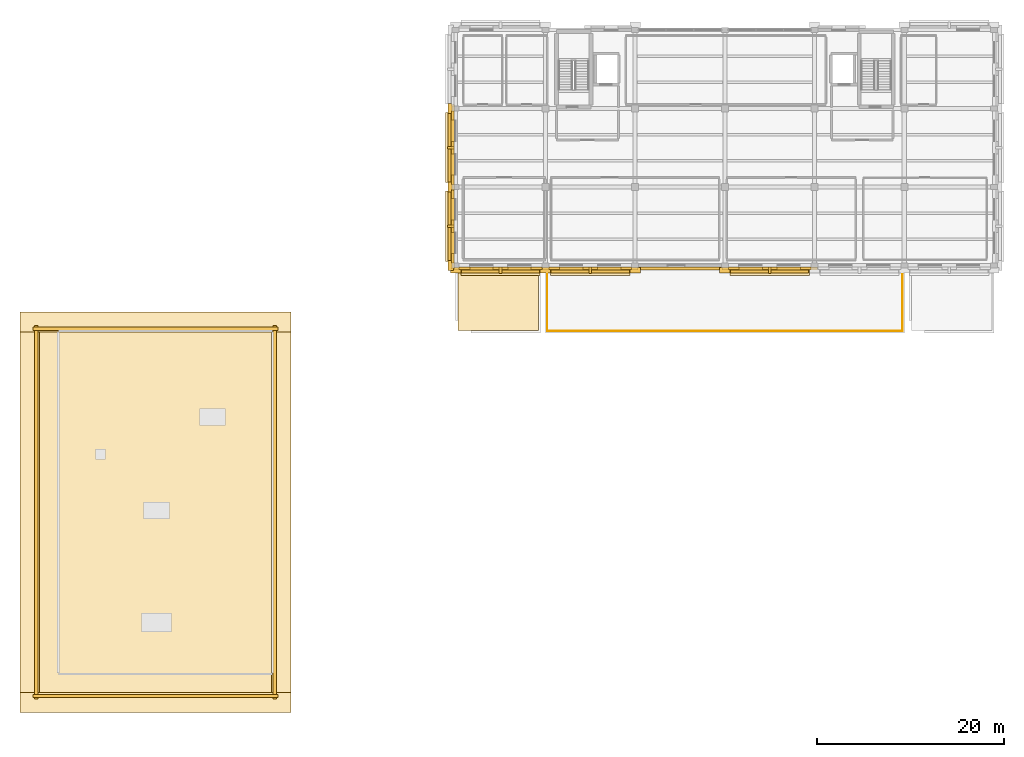
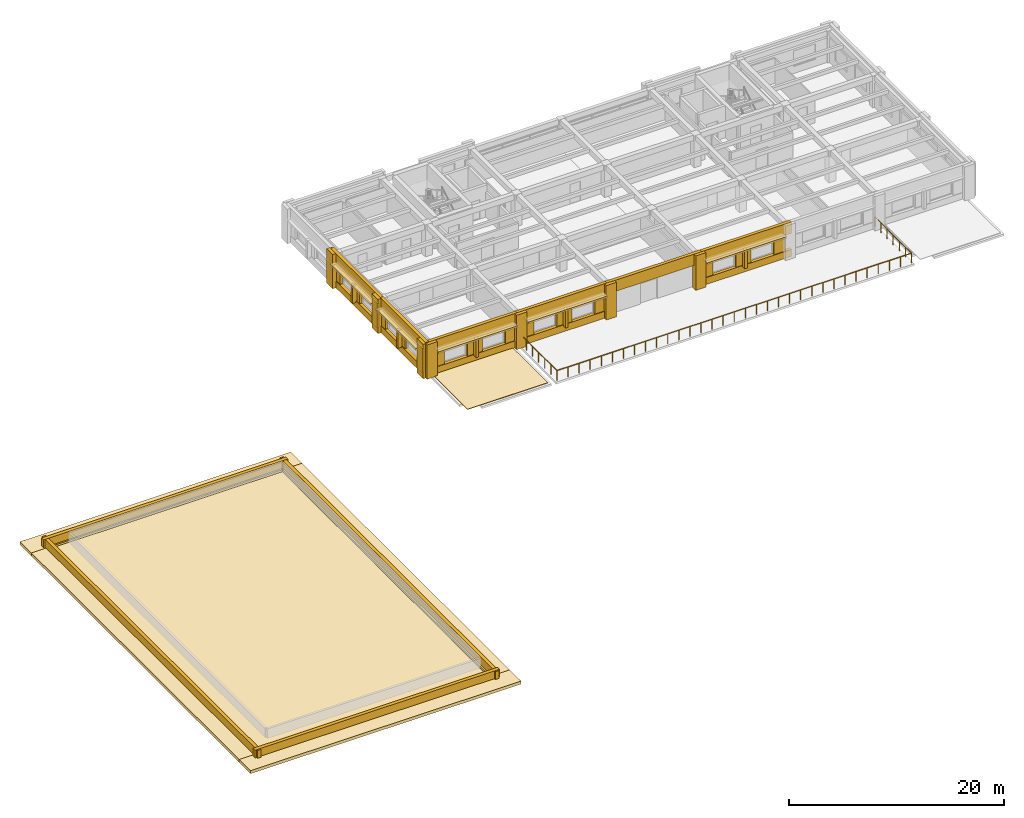
# One storey, part 7 of 10: 53 coverings, 5 shading devices, 1 railing.
"""IFC4 building model written with IfcOpenShell, lengths in metres."""

from ifc_helpers import new_model, si_unit, direction, frame, origin, origin_2d, place, context, subcontext, project, spatial, polyline, rectangle, circle, outline, extrude, material, layer, layer_set, type_object, element, save


model = new_model("IFC4")

# Units and contexts
model_context = context("Model", 3, precision=1e-05, world=origin(), true_north=direction((0.0, 1.0)))
body_context = subcontext(model_context, "Body", "Model", "MODEL_VIEW")
ifc_project = project(units=[si_unit("LENGTHUNIT", "METRE"), si_unit("AREAUNIT", "SQUARE_METRE"), si_unit("VOLUMEUNIT", "CUBIC_METRE"), si_unit("PLANEANGLEUNIT", "RADIAN"), si_unit("MASSUNIT", "GRAM", prefix="KILO")], contexts=[model_context])

# Site, building, storey
site_placement = place(None, origin())
site = spatial("IfcSite", under=ifc_project, at=site_placement, CompositionType="ELEMENT")
building_placement = place(site_placement, origin())
building = spatial("IfcBuilding", under=site, at=building_placement, Name="Bempovik Park Faculty of Sciences", CompositionType="ELEMENT")
storey_placement = place(building_placement, frame((0.0, 0.0, 26.699951171875)))
storey = spatial("IfcBuildingStorey", under=building, at=storey_placement, Name="L06", CompositionType="ELEMENT", Elevation=26.699951171875)

# Railing
ifc_material_1 = material(Name="Precast concrete C40/50", Category="concrete")
railing_type = type_object("IfcRailingType", Name="BL-01 Terrace Balustrade 1150mm", PredefinedType="BALUSTRADE", material=ifc_material_1)
railing_placement = place(storey_placement, frame((69.800048828125, 94.0, 0.0)))
element("IfcRailing", 1, at=railing_placement, inside=storey, type_object=railing_type, Name="Terrace Classical Balustrade BAL-L06-S", PredefinedType="BALUSTRADE", context=body_context, shape_type="SweptSolid", body=[
    extrude(circle(Radius=0.02392578125, at=origin_2d()), frame((0.0, 0.0, 1.1259765625), z_axis=(0.0, -1.0, 0.0), x_axis=(1.0, 0.0, 0.0)), (0.0, 0.0, 1.0), 6.800048828125),
    extrude(circle(Radius=0.02392578125, at=origin_2d()), frame((0.0, -6.800048828125, 1.1259765625), z_axis=(1.0, 0.0, 0.0), x_axis=(0.0, 1.0, 0.0)), (0.0, 0.0, 1.0), 38.0),
    extrude(circle(Radius=0.02392578125, at=origin_2d()), frame((38.0, -6.800048828125, 1.1259765625), z_axis=(0.0, 1.0, 0.0), x_axis=(-1.0, 0.0, 0.0)), (0.0, 0.0, 1.0), 6.800048828125),
    extrude(circle(Radius=0.02099609375, at=origin_2d()), origin(), (0.0, 0.0, 1.0), 1.101806640625),
    extrude(circle(Radius=0.02099609375, at=origin_2d()), frame((0.0, -1.13330078125, 0.0)), (0.0, 0.0, 1.0), 1.101806640625),
    extrude(circle(Radius=0.02099609375, at=origin_2d()), frame((0.0, -2.2666015625, 0.0)), (0.0, 0.0, 1.0), 1.101806640625),
    extrude(circle(Radius=0.02099609375, at=origin_2d()), frame((0.0, -3.39990234375, 0.0)), (0.0, 0.0, 1.0), 1.101806640625),
    extrude(circle(Radius=0.02099609375, at=origin_2d()), frame((0.0, -4.533447265625, 0.0)), (0.0, 0.0, 1.0), 1.101806640625),
    extrude(circle(Radius=0.02099609375, at=origin_2d()), frame((0.0, -5.666748046875, 0.0)), (0.0, 0.0, 1.0), 1.101806640625),
    extrude(circle(Radius=0.02099609375, at=origin_2d()), frame((0.0, -6.800048828125, 0.0)), (0.0, 0.0, 1.0), 1.101806640625),
    extrude(circle(Radius=0.02099609375, at=origin_2d()), frame((1.1875, -6.800048828125, 0.0)), (0.0, 0.0, 1.0), 1.101806640625),
    extrude(circle(Radius=0.02099609375, at=origin_2d()), frame((2.375, -6.800048828125, 0.0)), (0.0, 0.0, 1.0), 1.101806640625),
    extrude(circle(Radius=0.02099609375, at=origin_2d()), frame((3.5625, -6.800048828125, 0.0)), (0.0, 0.0, 1.0), 1.101806640625),
    extrude(circle(Radius=0.02099609375, at=origin_2d()), frame((4.75, -6.800048828125, 0.0)), (0.0, 0.0, 1.0), 1.101806640625),
    extrude(circle(Radius=0.02099609375, at=origin_2d()), frame((5.9375, -6.800048828125, 0.0)), (0.0, 0.0, 1.0), 1.101806640625),
    extrude(circle(Radius=0.02099609375, at=origin_2d()), frame((7.125, -6.800048828125, 0.0)), (0.0, 0.0, 1.0), 1.101806640625),
    extrude(circle(Radius=0.02099609375, at=origin_2d()), frame((8.3125, -6.800048828125, 0.0)), (0.0, 0.0, 1.0), 1.101806640625),
    extrude(circle(Radius=0.02099609375, at=origin_2d()), frame((9.5, -6.800048828125, 0.0)), (0.0, 0.0, 1.0), 1.101806640625),
    extrude(circle(Radius=0.02099609375, at=origin_2d()), frame((10.6875, -6.800048828125, 0.0)), (0.0, 0.0, 1.0), 1.101806640625),
    extrude(circle(Radius=0.02099609375, at=origin_2d()), frame((11.875, -6.800048828125, 0.0)), (0.0, 0.0, 1.0), 1.101806640625),
    extrude(circle(Radius=0.02099609375, at=origin_2d()), frame((13.0625, -6.800048828125, 0.0)), (0.0, 0.0, 1.0), 1.101806640625),
    extrude(circle(Radius=0.02099609375, at=origin_2d()), frame((14.25, -6.800048828125, 0.0)), (0.0, 0.0, 1.0), 1.101806640625),
    extrude(circle(Radius=0.02099609375, at=origin_2d()), frame((15.4375, -6.800048828125, 0.0)), (0.0, 0.0, 1.0), 1.101806640625),
    extrude(circle(Radius=0.02099609375, at=origin_2d()), frame((16.625, -6.800048828125, 0.0)), (0.0, 0.0, 1.0), 1.101806640625),
    extrude(circle(Radius=0.02099609375, at=origin_2d()), frame((17.8125, -6.800048828125, 0.0)), (0.0, 0.0, 1.0), 1.101806640625),
    extrude(circle(Radius=0.02099609375, at=origin_2d()), frame((19.0, -6.800048828125, 0.0)), (0.0, 0.0, 1.0), 1.101806640625),
    extrude(circle(Radius=0.02099609375, at=origin_2d()), frame((20.1875, -6.800048828125, 0.0)), (0.0, 0.0, 1.0), 1.101806640625),
    extrude(circle(Radius=0.02099609375, at=origin_2d()), frame((21.375, -6.800048828125, 0.0)), (0.0, 0.0, 1.0), 1.101806640625),
    extrude(circle(Radius=0.02099609375, at=origin_2d()), frame((22.5625, -6.800048828125, 0.0)), (0.0, 0.0, 1.0), 1.101806640625),
    extrude(circle(Radius=0.02099609375, at=origin_2d()), frame((23.75, -6.800048828125, 0.0)), (0.0, 0.0, 1.0), 1.101806640625),
    extrude(circle(Radius=0.02099609375, at=origin_2d()), frame((24.9375, -6.800048828125, 0.0)), (0.0, 0.0, 1.0), 1.101806640625),
    extrude(circle(Radius=0.02099609375, at=origin_2d()), frame((26.125, -6.800048828125, 0.0)), (0.0, 0.0, 1.0), 1.101806640625),
    extrude(circle(Radius=0.02099609375, at=origin_2d()), frame((27.3125, -6.800048828125, 0.0)), (0.0, 0.0, 1.0), 1.101806640625),
    extrude(circle(Radius=0.02099609375, at=origin_2d()), frame((28.5, -6.800048828125, 0.0)), (0.0, 0.0, 1.0), 1.101806640625),
    extrude(circle(Radius=0.02099609375, at=origin_2d()), frame((29.6875, -6.800048828125, 0.0)), (0.0, 0.0, 1.0), 1.101806640625),
    extrude(circle(Radius=0.02099609375, at=origin_2d()), frame((30.875, -6.800048828125, 0.0)), (0.0, 0.0, 1.0), 1.101806640625),
    extrude(circle(Radius=0.02099609375, at=origin_2d()), frame((32.0625, -6.800048828125, 0.0)), (0.0, 0.0, 1.0), 1.101806640625),
    extrude(circle(Radius=0.02099609375, at=origin_2d()), frame((33.25, -6.800048828125, 0.0)), (0.0, 0.0, 1.0), 1.101806640625),
    extrude(circle(Radius=0.02099609375, at=origin_2d()), frame((34.4375, -6.800048828125, 0.0)), (0.0, 0.0, 1.0), 1.101806640625),
    extrude(circle(Radius=0.02099609375, at=origin_2d()), frame((35.625, -6.800048828125, 0.0)), (0.0, 0.0, 1.0), 1.101806640625),
    extrude(circle(Radius=0.02099609375, at=origin_2d()), frame((36.8125, -6.800048828125, 0.0)), (0.0, 0.0, 1.0), 1.101806640625),
    extrude(circle(Radius=0.02099609375, at=origin_2d()), frame((38.0, -6.800048828125, 0.0)), (0.0, 0.0, 1.0), 1.101806640625),
    extrude(circle(Radius=0.02099609375, at=origin_2d()), frame((38.0, -5.666748046875, 0.0)), (0.0, 0.0, 1.0), 1.101806640625),
    extrude(circle(Radius=0.02099609375, at=origin_2d()), frame((38.0, -4.533447265625, 0.0)), (0.0, 0.0, 1.0), 1.101806640625),
    extrude(circle(Radius=0.02099609375, at=origin_2d()), frame((38.0, -3.39990234375, 0.0)), (0.0, 0.0, 1.0), 1.101806640625),
    extrude(circle(Radius=0.02099609375, at=origin_2d()), frame((38.0, -2.2666015625, 0.0)), (0.0, 0.0, 1.0), 1.101806640625),
    extrude(circle(Radius=0.02099609375, at=origin_2d()), frame((38.0, -1.13330078125, 0.0)), (0.0, 0.0, 1.0), 1.101806640625),
    extrude(circle(Radius=0.02099609375, at=origin_2d()), frame((38.0, 0.0, 0.0)), (0.0, 0.0, 1.0), 1.101806640625),
])

# Coverings
ifc_layer_1 = layer(ifc_material_1, 0.179931640625)
ifc_layer_set_1 = layer_set([ifc_layer_1], Name="Precast concrete C40/50")
covering_type_1 = type_object("IfcCoveringType", Name="CL-02 Classical Cornice Band 180mm", PredefinedType="CLADDING", material=ifc_layer_set_1)
for number, where, z_axis, x_axis, name in (
    (2, (59.39990234375, 98.39990234375, 2.66015625), (0.0, 0.0, 1.0), (1.0, 0.0, 0.0), "L06 Classical Stone Solar Window Hood EW-L06-10454"),
    (3, (59.39990234375, 106.800048828125, 2.66015625), (0.0, 0.0, 1.0), (1.0, 0.0, 0.0), "L06 Classical Stone Solar Window Hood EW-L06-10467"),
):
    element("IfcCovering", number, at=place(storey_placement, frame(where, z_axis=z_axis, x_axis=x_axis)), inside=storey, type_object=covering_type_1, Name=name, PredefinedType="CLADDING", context=body_context, shape_type="SweptSolid", body=[
        extrude(rectangle(XDim=0.919921875, YDim=7.49609375, at=origin_2d()), origin(), (0.0, 0.0, 1.0), 0.219970703125),
    ])
for number, where, z_axis, x_axis, name in (
    (4, (64.800048828125, 93.60009765625, 2.66015625), (0.0, 0.0, 1.0), (1.0, 0.0, 0.0), "L06 Classical Stone Solar Window Hood EW-L06-10491"),
    (5, (74.39990234375, 93.60009765625, 2.66015625), (0.0, 0.0, 1.0), (1.0, 0.0, 0.0), "L06 Classical Stone Solar Window Hood EW-L06-10504"),
    (6, (93.60009765625, 93.60009765625, 2.66015625), (0.0, 0.0, 1.0), (1.0, 0.0, 0.0), "L06 Classical Stone Solar Window Hood EW-L06-10519"),
):
    element("IfcCovering", number, at=place(storey_placement, frame(where, z_axis=z_axis, x_axis=x_axis)), inside=storey, type_object=covering_type_1, Name=name, PredefinedType="CLADDING", context=body_context, shape_type="SweptSolid", body=[
        extrude(rectangle(XDim=8.49609375, YDim=0.919921875, at=origin_2d()), origin(), (0.0, 0.0, 1.0), 0.219970703125),
    ])
for number, where, z_axis, x_axis, name in (
    (7, (27.89990234375, 47.449951171875, -0.06982421875), (0.0, 0.0, 1.0), (1.0, 0.0, 0.0), "Classical Deep Overhanging Stone Eave V4MN-S"),
    (8, (27.89990234375, 88.14990234375, -0.06982421875), (0.0, 0.0, 1.0), (1.0, 0.0, 0.0), "Classical Deep Overhanging Stone Eave V4MN-N"),
):
    element("IfcCovering", number, at=place(storey_placement, frame(where, z_axis=z_axis, x_axis=x_axis)), inside=storey, type_object=covering_type_1, Name=name, PredefinedType="CLADDING", context=body_context, shape_type="SweptSolid", body=[
        extrude(rectangle(XDim=29.0, YDim=2.10009765625, at=origin_2d()), origin(), (0.0, 0.0, 1.0), 0.340087890625),
    ])
for number, where, z_axis, x_axis, name in (
    (9, (14.449951171875, 67.800048828125, -0.06982421875), (0.0, 0.0, 1.0), (1.0, 0.0, 0.0), "Classical Deep Overhanging Stone Eave V4MN-W"),
    (10, (41.35009765625, 67.800048828125, -0.06982421875), (0.0, 0.0, 1.0), (1.0, 0.0, 0.0), "Classical Deep Overhanging Stone Eave V4MN-E"),
):
    element("IfcCovering", number, at=place(storey_placement, frame(where, z_axis=z_axis, x_axis=x_axis)), inside=storey, type_object=covering_type_1, Name=name, PredefinedType="CLADDING", context=body_context, shape_type="SweptSolid", body=[
        extrude(rectangle(XDim=2.10009765625, YDim=42.800048828125, at=origin_2d()), origin(), (0.0, 0.0, 1.0), 0.340087890625),
    ])
ifc_material_2 = material(Name="White reconstituted limestone precast C40/50", Category="masonry")
ifc_layer_2 = layer(ifc_material_2, 0.239990234375)
ifc_layer_set_2 = layer_set([ifc_layer_2], Name="White reconstituted limestone precast C40/50")
covering_type_2 = type_object("IfcCoveringType", Name="CL-03 Classical Fluted Limestone Pilaster 240mm", PredefinedType="CLADDING", material=ifc_layer_set_2)
covering_1_placement = place(storey_placement, frame((59.68994140625, 98.39990234375, 2.6201171875), z_axis=(0.0, 0.0, 1.0), x_axis=(1.0, 0.0, 0.0)))
element("IfcCovering", 11, at=covering_1_placement, inside=storey, type_object=covering_type_2, Name="L06 Classical Limestone Spandrel Entablature EW-L06-10454", PredefinedType="CLADDING", context=body_context, shape_type="SweptSolid", body=[
    extrude(rectangle(XDim=0.340087890625, YDim=9.196044921875, at=origin_2d()), origin(), (0.0, 0.0, 1.0), 1.280029296875),
])
covering_2_placement = place(storey_placement, frame((59.68994140625, 98.39990234375, 0.0), z_axis=(0.0, 0.0, 1.0), x_axis=(1.0, 0.0, 0.0)))
element("IfcCovering", 12, at=covering_2_placement, inside=storey, type_object=covering_type_2, Name="L06 Classical Limestone Sill Dado EW-L06-10454", PredefinedType="CLADDING", context=body_context, shape_type="SweptSolid", body=[
    extrude(rectangle(XDim=0.340087890625, YDim=9.196044921875, at=origin_2d()), origin(), (0.0, 0.0, 1.0), 0.780029296875),
])
for number, where, z_axis, x_axis, name in (
    (13, (59.469970703125, 94.199951171875, 0.0), (0.0, 0.0, 1.0), (1.0, 0.0, 0.0), "L06 Classical Fluted Stone Pilaster PIL-BA-L06-595-942"),
    (14, (59.469970703125, 102.60009765625, 0.0), (0.0, 0.0, 1.0), (1.0, 0.0, 0.0), "L06 Classical Fluted Stone Pilaster PIL-BA-L06-595-1026"),
):
    element("IfcCovering", number, at=place(storey_placement, frame(where, z_axis=z_axis, x_axis=x_axis)), inside=storey, type_object=covering_type_2, Name=name, PredefinedType="CLADDING", context=body_context, shape_type="SweptSolid", body=[
        extrude(rectangle(XDim=0.580078125, YDim=1.10009765625, at=origin_2d()), origin(), (0.0, 0.0, 1.0), 3.89990234375),
    ])
covering_3_placement = place(storey_placement, frame((59.699951171875, 94.96630859375, 0.0), z_axis=(0.0, 0.0, 1.0), x_axis=(1.0, 0.0, 0.0)))
element("IfcCovering", 15, at=covering_3_placement, inside=storey, type_object=covering_type_2, Name="L06 White Limestone Wall Cheek EW-L06-10454-0", PredefinedType="CLADDING", context=body_context, shape_type="SweptSolid", body=[
    extrude(rectangle(XDim=0.239990234375, YDim=0.978515625, at=origin_2d()), origin(), (0.0, 0.0, 1.0), 2.780029296875),
])
covering_4_placement = place(storey_placement, frame((59.699951171875, 98.39990234375, 0.0), z_axis=(0.0, 0.0, 1.0), x_axis=(1.0, 0.0, 0.0)))
element("IfcCovering", 16, at=covering_4_placement, inside=storey, type_object=covering_type_2, Name="L06 White Limestone Wall Cheek EW-L06-10454-2", PredefinedType="CLADDING", context=body_context, shape_type="SweptSolid", body=[
    extrude(rectangle(XDim=0.239990234375, YDim=1.3291015625, at=origin_2d()), origin(), (0.0, 0.0, 1.0), 2.780029296875),
])
covering_5_placement = place(storey_placement, frame((59.699951171875, 101.833740234375, 0.0), z_axis=(0.0, 0.0, 1.0), x_axis=(1.0, 0.0, 0.0)))
element("IfcCovering", 17, at=covering_5_placement, inside=storey, type_object=covering_type_2, Name="L06 White Limestone Wall Cheek EW-L06-10454-4", PredefinedType="CLADDING", context=body_context, shape_type="SweptSolid", body=[
    extrude(rectangle(XDim=0.239990234375, YDim=0.978515625, at=origin_2d()), origin(), (0.0, 0.0, 1.0), 2.780029296875),
])
covering_6_placement = place(storey_placement, frame((59.489990234375, 98.39990234375, 0.64990234375), z_axis=(0.0, 0.0, 1.0), x_axis=(1.0, 0.0, 0.0)))
element("IfcCovering", 18, at=covering_6_placement, inside=storey, type_object=covering_type_2, Name="L06 Classical Vertical Stone Shading Fin EW-L06-10454", PredefinedType="CLADDING", context=body_context, shape_type="SweptSolid", body=[
    extrude(rectangle(XDim=0.719970703125, YDim=0.280029296875, at=origin_2d()), origin(), (0.0, 0.0, 1.0), 2.050048828125),
])
covering_7_placement = place(storey_placement, frame((59.68994140625, 106.800048828125, 2.6201171875), z_axis=(0.0, 0.0, 1.0), x_axis=(1.0, 0.0, 0.0)))
element("IfcCovering", 19, at=covering_7_placement, inside=storey, type_object=covering_type_2, Name="L06 Classical Limestone Spandrel Entablature EW-L06-10467", PredefinedType="CLADDING", context=body_context, shape_type="SweptSolid", body=[
    extrude(rectangle(XDim=0.340087890625, YDim=9.196044921875, at=origin_2d()), origin(), (0.0, 0.0, 1.0), 1.280029296875),
])
covering_8_placement = place(storey_placement, frame((59.68994140625, 106.800048828125, 0.0), z_axis=(0.0, 0.0, 1.0), x_axis=(1.0, 0.0, 0.0)))
element("IfcCovering", 20, at=covering_8_placement, inside=storey, type_object=covering_type_2, Name="L06 Classical Limestone Sill Dado EW-L06-10467", PredefinedType="CLADDING", context=body_context, shape_type="SweptSolid", body=[
    extrude(rectangle(XDim=0.340087890625, YDim=9.196044921875, at=origin_2d()), origin(), (0.0, 0.0, 1.0), 0.780029296875),
])
covering_9_placement = place(storey_placement, frame((59.469970703125, 111.0, 0.0), z_axis=(0.0, 0.0, 1.0), x_axis=(1.0, 0.0, 0.0)))
element("IfcCovering", 21, at=covering_9_placement, inside=storey, type_object=covering_type_2, Name="L06 Classical Fluted Stone Pilaster PIL-BA-L06-595-1110", PredefinedType="CLADDING", context=body_context, shape_type="SweptSolid", body=[
    extrude(rectangle(XDim=0.580078125, YDim=1.10009765625, at=origin_2d()), origin(), (0.0, 0.0, 1.0), 3.89990234375),
])
covering_10_placement = place(storey_placement, frame((59.699951171875, 103.3662109375, 0.0), z_axis=(0.0, 0.0, 1.0), x_axis=(1.0, 0.0, 0.0)))
element("IfcCovering", 22, at=covering_10_placement, inside=storey, type_object=covering_type_2, Name="L06 White Limestone Wall Cheek EW-L06-10467-0", PredefinedType="CLADDING", context=body_context, shape_type="SweptSolid", body=[
    extrude(rectangle(XDim=0.239990234375, YDim=0.978515625, at=origin_2d()), origin(), (0.0, 0.0, 1.0), 2.780029296875),
])
covering_11_placement = place(storey_placement, frame((59.699951171875, 106.800048828125, 0.0), z_axis=(0.0, 0.0, 1.0), x_axis=(1.0, 0.0, 0.0)))
element("IfcCovering", 23, at=covering_11_placement, inside=storey, type_object=covering_type_2, Name="L06 White Limestone Wall Cheek EW-L06-10467-2", PredefinedType="CLADDING", context=body_context, shape_type="SweptSolid", body=[
    extrude(rectangle(XDim=0.239990234375, YDim=1.3291015625, at=origin_2d()), origin(), (0.0, 0.0, 1.0), 2.780029296875),
])
covering_12_placement = place(storey_placement, frame((59.699951171875, 110.23388671875, 0.0), z_axis=(0.0, 0.0, 1.0), x_axis=(1.0, 0.0, 0.0)))
element("IfcCovering", 24, at=covering_12_placement, inside=storey, type_object=covering_type_2, Name="L06 White Limestone Wall Cheek EW-L06-10467-4", PredefinedType="CLADDING", context=body_context, shape_type="SweptSolid", body=[
    extrude(rectangle(XDim=0.239990234375, YDim=0.978515625, at=origin_2d()), origin(), (0.0, 0.0, 1.0), 2.780029296875),
])
covering_13_placement = place(storey_placement, frame((59.489990234375, 106.800048828125, 0.64990234375), z_axis=(0.0, 0.0, 1.0), x_axis=(1.0, 0.0, 0.0)))
element("IfcCovering", 25, at=covering_13_placement, inside=storey, type_object=covering_type_2, Name="L06 Classical Vertical Stone Shading Fin EW-L06-10467", PredefinedType="CLADDING", context=body_context, shape_type="SweptSolid", body=[
    extrude(rectangle(XDim=0.719970703125, YDim=0.280029296875, at=origin_2d()), origin(), (0.0, 0.0, 1.0), 2.050048828125),
])
covering_14_placement = place(storey_placement, frame((64.800048828125, 93.889892578125, 2.6201171875), z_axis=(0.0, 0.0, 1.0), x_axis=(1.0, 0.0, 0.0)))
element("IfcCovering", 26, at=covering_14_placement, inside=storey, type_object=covering_type_2, Name="L06 Classical Limestone Spandrel Entablature EW-L06-10491", PredefinedType="CLADDING", context=body_context, shape_type="SweptSolid", body=[
    extrude(rectangle(XDim=10.196044921875, YDim=0.340087890625, at=origin_2d()), origin(), (0.0, 0.0, 1.0), 1.280029296875),
])
covering_15_placement = place(storey_placement, frame((64.800048828125, 93.889892578125, 0.0), z_axis=(0.0, 0.0, 1.0), x_axis=(1.0, 0.0, 0.0)))
element("IfcCovering", 27, at=covering_15_placement, inside=storey, type_object=covering_type_2, Name="L06 Classical Limestone Sill Dado EW-L06-10491", PredefinedType="CLADDING", context=body_context, shape_type="SweptSolid", body=[
    extrude(rectangle(XDim=10.196044921875, YDim=0.340087890625, at=origin_2d()), origin(), (0.0, 0.0, 1.0), 0.780029296875),
])
for number, where, z_axis, x_axis, name in (
    (28, (60.0, 93.669921875, 0.0), (0.0, 0.0, 1.0), (1.0, 0.0, 0.0), "L06 Classical Fluted Stone Pilaster PIL-BA-L06-600-937"),
    (29, (69.60009765625, 93.669921875, 0.0), (0.0, 0.0, 1.0), (1.0, 0.0, 0.0), "L06 Classical Fluted Stone Pilaster PIL-BA-L06-696-937"),
):
    element("IfcCovering", number, at=place(storey_placement, frame(where, z_axis=z_axis, x_axis=x_axis)), inside=storey, type_object=covering_type_2, Name=name, PredefinedType="CLADDING", context=body_context, shape_type="SweptSolid", body=[
        extrude(rectangle(XDim=1.10009765625, YDim=0.580078125, at=origin_2d()), origin(), (0.0, 0.0, 1.0), 3.89990234375),
    ])
covering_16_placement = place(storey_placement, frame((60.951171875, 93.89990234375, 0.0), z_axis=(0.0, 0.0, 1.0), x_axis=(1.0, 0.0, 0.0)))
element("IfcCovering", 30, at=covering_16_placement, inside=storey, type_object=covering_type_2, Name="L06 White Limestone Wall Cheek EW-L06-10491-0", PredefinedType="CLADDING", context=body_context, shape_type="SweptSolid", body=[
    extrude(rectangle(XDim=1.1484375, YDim=0.239990234375, at=origin_2d()), origin(), (0.0, 0.0, 1.0), 2.780029296875),
])
covering_17_placement = place(storey_placement, frame((64.800048828125, 93.89990234375, 0.0), z_axis=(0.0, 0.0, 1.0), x_axis=(1.0, 0.0, 0.0)))
element("IfcCovering", 31, at=covering_17_placement, inside=storey, type_object=covering_type_2, Name="L06 White Limestone Wall Cheek EW-L06-10491-2", PredefinedType="CLADDING", context=body_context, shape_type="SweptSolid", body=[
    extrude(rectangle(XDim=1.589111328125, YDim=0.239990234375, at=origin_2d()), origin(), (0.0, 0.0, 1.0), 2.780029296875),
])
covering_18_placement = place(storey_placement, frame((68.648681640625, 93.89990234375, 0.0), z_axis=(0.0, 0.0, 1.0), x_axis=(1.0, 0.0, 0.0)))
element("IfcCovering", 32, at=covering_18_placement, inside=storey, type_object=covering_type_2, Name="L06 White Limestone Wall Cheek EW-L06-10491-4", PredefinedType="CLADDING", context=body_context, shape_type="SweptSolid", body=[
    extrude(rectangle(XDim=1.1484375, YDim=0.239990234375, at=origin_2d()), origin(), (0.0, 0.0, 1.0), 2.780029296875),
])
covering_19_placement = place(storey_placement, frame((64.800048828125, 93.68994140625, 0.64990234375), z_axis=(0.0, 0.0, 1.0), x_axis=(1.0, 0.0, 0.0)))
element("IfcCovering", 33, at=covering_19_placement, inside=storey, type_object=covering_type_2, Name="L06 Classical Vertical Stone Shading Fin EW-L06-10491", PredefinedType="CLADDING", context=body_context, shape_type="SweptSolid", body=[
    extrude(rectangle(XDim=0.280029296875, YDim=0.719970703125, at=origin_2d()), origin(), (0.0, 0.0, 1.0), 2.050048828125),
])
covering_20_placement = place(storey_placement, frame((74.39990234375, 93.889892578125, 2.6201171875), z_axis=(0.0, 0.0, 1.0), x_axis=(1.0, 0.0, 0.0)))
element("IfcCovering", 34, at=covering_20_placement, inside=storey, type_object=covering_type_2, Name="L06 Classical Limestone Spandrel Entablature EW-L06-10504", PredefinedType="CLADDING", context=body_context, shape_type="SweptSolid", body=[
    extrude(rectangle(XDim=10.196044921875, YDim=0.340087890625, at=origin_2d()), origin(), (0.0, 0.0, 1.0), 1.280029296875),
])
covering_21_placement = place(storey_placement, frame((74.39990234375, 93.889892578125, 0.0), z_axis=(0.0, 0.0, 1.0), x_axis=(1.0, 0.0, 0.0)))
element("IfcCovering", 35, at=covering_21_placement, inside=storey, type_object=covering_type_2, Name="L06 Classical Limestone Sill Dado EW-L06-10504", PredefinedType="CLADDING", context=body_context, shape_type="SweptSolid", body=[
    extrude(rectangle(XDim=10.196044921875, YDim=0.340087890625, at=origin_2d()), origin(), (0.0, 0.0, 1.0), 0.780029296875),
])
covering_22_placement = place(storey_placement, frame((79.199951171875, 93.669921875, 0.0), z_axis=(0.0, 0.0, 1.0), x_axis=(1.0, 0.0, 0.0)))
element("IfcCovering", 36, at=covering_22_placement, inside=storey, type_object=covering_type_2, Name="L06 Classical Fluted Stone Pilaster PIL-BA-L06-792-937", PredefinedType="CLADDING", context=body_context, shape_type="SweptSolid", body=[
    extrude(rectangle(XDim=1.10009765625, YDim=0.580078125, at=origin_2d()), origin(), (0.0, 0.0, 1.0), 3.89990234375),
])
covering_23_placement = place(storey_placement, frame((70.55126953125, 93.89990234375, 0.0), z_axis=(0.0, 0.0, 1.0), x_axis=(1.0, 0.0, 0.0)))
element("IfcCovering", 37, at=covering_23_placement, inside=storey, type_object=covering_type_2, Name="L06 White Limestone Wall Cheek EW-L06-10504-0", PredefinedType="CLADDING", context=body_context, shape_type="SweptSolid", body=[
    extrude(rectangle(XDim=1.1484375, YDim=0.239990234375, at=origin_2d()), origin(), (0.0, 0.0, 1.0), 2.780029296875),
])
covering_24_placement = place(storey_placement, frame((74.39990234375, 93.89990234375, 0.0), z_axis=(0.0, 0.0, 1.0), x_axis=(1.0, 0.0, 0.0)))
element("IfcCovering", 38, at=covering_24_placement, inside=storey, type_object=covering_type_2, Name="L06 White Limestone Wall Cheek EW-L06-10504-2", PredefinedType="CLADDING", context=body_context, shape_type="SweptSolid", body=[
    extrude(rectangle(XDim=1.589111328125, YDim=0.239990234375, at=origin_2d()), origin(), (0.0, 0.0, 1.0), 2.780029296875),
])
covering_25_placement = place(storey_placement, frame((78.248779296875, 93.89990234375, 0.0), z_axis=(0.0, 0.0, 1.0), x_axis=(1.0, 0.0, 0.0)))
element("IfcCovering", 39, at=covering_25_placement, inside=storey, type_object=covering_type_2, Name="L06 White Limestone Wall Cheek EW-L06-10504-4", PredefinedType="CLADDING", context=body_context, shape_type="SweptSolid", body=[
    extrude(rectangle(XDim=1.1484375, YDim=0.239990234375, at=origin_2d()), origin(), (0.0, 0.0, 1.0), 2.780029296875),
])
covering_26_placement = place(storey_placement, frame((74.39990234375, 93.68994140625, 0.64990234375), z_axis=(0.0, 0.0, 1.0), x_axis=(1.0, 0.0, 0.0)))
element("IfcCovering", 40, at=covering_26_placement, inside=storey, type_object=covering_type_2, Name="L06 Classical Vertical Stone Shading Fin EW-L06-10504", PredefinedType="CLADDING", context=body_context, shape_type="SweptSolid", body=[
    extrude(rectangle(XDim=0.280029296875, YDim=0.719970703125, at=origin_2d()), origin(), (0.0, 0.0, 1.0), 2.050048828125),
])
covering_27_placement = place(storey_placement, frame((84.0, 93.889892578125, 2.6201171875), z_axis=(0.0, 0.0, 1.0), x_axis=(1.0, 0.0, 0.0)))
element("IfcCovering", 41, at=covering_27_placement, inside=storey, type_object=covering_type_2, Name="L06 Classical Limestone Spandrel Entablature EW-L06-10516", PredefinedType="CLADDING", context=body_context, shape_type="SweptSolid", body=[
    extrude(rectangle(XDim=10.196044921875, YDim=0.340087890625, at=origin_2d()), origin(), (0.0, 0.0, 1.0), 1.280029296875),
])
covering_28_placement = place(storey_placement, frame((88.800048828125, 93.669921875, 0.0), z_axis=(0.0, 0.0, 1.0), x_axis=(1.0, 0.0, 0.0)))
element("IfcCovering", 42, at=covering_28_placement, inside=storey, type_object=covering_type_2, Name="L06 Classical Fluted Stone Pilaster PIL-BA-L06-888-937", PredefinedType="CLADDING", context=body_context, shape_type="SweptSolid", body=[
    extrude(rectangle(XDim=1.10009765625, YDim=0.580078125, at=origin_2d()), origin(), (0.0, 0.0, 1.0), 3.89990234375),
])
covering_29_placement = place(storey_placement, frame((93.60009765625, 93.889892578125, 2.6201171875), z_axis=(0.0, 0.0, 1.0), x_axis=(1.0, 0.0, 0.0)))
element("IfcCovering", 43, at=covering_29_placement, inside=storey, type_object=covering_type_2, Name="L06 Classical Limestone Spandrel Entablature EW-L06-10519", PredefinedType="CLADDING", context=body_context, shape_type="SweptSolid", body=[
    extrude(rectangle(XDim=10.196044921875, YDim=0.340087890625, at=origin_2d()), origin(), (0.0, 0.0, 1.0), 1.280029296875),
])
covering_30_placement = place(storey_placement, frame((93.60009765625, 93.889892578125, 0.0), z_axis=(0.0, 0.0, 1.0), x_axis=(1.0, 0.0, 0.0)))
element("IfcCovering", 44, at=covering_30_placement, inside=storey, type_object=covering_type_2, Name="L06 Classical Limestone Sill Dado EW-L06-10519", PredefinedType="CLADDING", context=body_context, shape_type="SweptSolid", body=[
    extrude(rectangle(XDim=10.196044921875, YDim=0.340087890625, at=origin_2d()), origin(), (0.0, 0.0, 1.0), 0.780029296875),
])
covering_31_placement = place(storey_placement, frame((89.751220703125, 93.89990234375, 0.0), z_axis=(0.0, 0.0, 1.0), x_axis=(1.0, 0.0, 0.0)))
element("IfcCovering", 45, at=covering_31_placement, inside=storey, type_object=covering_type_2, Name="L06 White Limestone Wall Cheek EW-L06-10519-0", PredefinedType="CLADDING", context=body_context, shape_type="SweptSolid", body=[
    extrude(rectangle(XDim=1.1484375, YDim=0.239990234375, at=origin_2d()), origin(), (0.0, 0.0, 1.0), 2.780029296875),
])
covering_32_placement = place(storey_placement, frame((93.60009765625, 93.89990234375, 0.0), z_axis=(0.0, 0.0, 1.0), x_axis=(1.0, 0.0, 0.0)))
element("IfcCovering", 46, at=covering_32_placement, inside=storey, type_object=covering_type_2, Name="L06 White Limestone Wall Cheek EW-L06-10519-2", PredefinedType="CLADDING", context=body_context, shape_type="SweptSolid", body=[
    extrude(rectangle(XDim=1.589111328125, YDim=0.239990234375, at=origin_2d()), origin(), (0.0, 0.0, 1.0), 2.780029296875),
])
covering_33_placement = place(storey_placement, frame((97.44873046875, 93.89990234375, 0.0), z_axis=(0.0, 0.0, 1.0), x_axis=(1.0, 0.0, 0.0)))
element("IfcCovering", 47, at=covering_33_placement, inside=storey, type_object=covering_type_2, Name="L06 White Limestone Wall Cheek EW-L06-10519-4", PredefinedType="CLADDING", context=body_context, shape_type="SweptSolid", body=[
    extrude(rectangle(XDim=1.1484375, YDim=0.239990234375, at=origin_2d()), origin(), (0.0, 0.0, 1.0), 2.780029296875),
])
covering_34_placement = place(storey_placement, frame((93.60009765625, 93.68994140625, 0.64990234375), z_axis=(0.0, 0.0, 1.0), x_axis=(1.0, 0.0, 0.0)))
element("IfcCovering", 48, at=covering_34_placement, inside=storey, type_object=covering_type_2, Name="L06 Classical Vertical Stone Shading Fin EW-L06-10519", PredefinedType="CLADDING", context=body_context, shape_type="SweptSolid", body=[
    extrude(rectangle(XDim=0.280029296875, YDim=0.719970703125, at=origin_2d()), origin(), (0.0, 0.0, 1.0), 2.050048828125),
])
for number, where, z_axis, x_axis, name in (
    (49, (27.89990234375, 48.14990234375, 0.10498046875), (0.0, 0.0, 1.0), (1.0, 0.0, 0.0), "White Limestone Attic Fascia V4MN-S"),
    (50, (27.89990234375, 87.449951171875, 0.10498046875), (0.0, 0.0, 1.0), (1.0, 0.0, 0.0), "White Limestone Attic Fascia V4MN-N"),
):
    element("IfcCovering", number, at=place(storey_placement, frame(where, z_axis=z_axis, x_axis=x_axis)), inside=storey, type_object=covering_type_2, Name=name, PredefinedType="CLADDING", context=body_context, shape_type="SweptSolid", body=[
        extrude(rectangle(XDim=26.199951171875, YDim=0.360107421875, at=origin_2d()), origin(), (0.0, 0.0, 1.0), 1.050048828125),
    ])
for number, where, z_axis, x_axis, name in (
    (51, (15.14990234375, 67.800048828125, 0.10498046875), (0.0, 0.0, 1.0), (1.0, 0.0, 0.0), "White Limestone Attic Fascia V4MN-W"),
    (52, (40.64990234375, 67.800048828125, 0.10498046875), (0.0, 0.0, 1.0), (1.0, 0.0, 0.0), "White Limestone Attic Fascia V4MN-E"),
):
    element("IfcCovering", number, at=place(storey_placement, frame(where, z_axis=z_axis, x_axis=x_axis)), inside=storey, type_object=covering_type_2, Name=name, PredefinedType="CLADDING", context=body_context, shape_type="SweptSolid", body=[
        extrude(rectangle(XDim=0.360107421875, YDim=40.0, at=origin_2d()), origin(), (0.0, 0.0, 1.0), 1.050048828125),
    ])
ifc_material_3 = material(Name="Insulated cool-roof membrane")
ifc_layer_3 = layer(ifc_material_3, 0.06005859375)
ifc_layer_set_3 = layer_set([ifc_layer_3], Name="Insulated cool-roof membrane")
covering_type_3 = type_object("IfcCoveringType", Name="RF-01 Cool Roof Membrane 60mm", PredefinedType="ROOFING", material=ifc_layer_set_3)
covering_35_placement = place(storey_placement, origin())
element("IfcCovering", 53, at=covering_35_placement, inside=storey, type_object=covering_type_3, Name="Cool-Roof Membrane RF-V4-MAIN", PredefinedType="ROOFING", context=body_context, shape_type="SweptSolid", body=[
    extrude(outline(polyline([(15.25, 48.25), (40.550048828125, 48.25), (40.550048828125, 87.35009765625), (15.25, 87.35009765625), (15.25, 48.25)])), origin(), (0.0, 0.0, 1.0), 0.06005859375),
])
covering_36_placement = place(storey_placement, origin())
element("IfcCovering", 54, at=covering_36_placement, inside=storey, type_object=covering_type_3, Name="Cool-Roof Membrane RF-V5-S6W", PredefinedType="ROOFING", context=body_context, shape_type="SweptSolid", body=[
    extrude(outline(polyline([(60.25, 87.25), (68.85009765625, 87.25), (68.85009765625, 93.949951171875), (60.25, 93.949951171875), (60.25, 87.25)])), origin(), (0.0, 0.0, 1.0), 0.06005859375),
])

# Shading devices
ifc_material_4 = material(Name="Anodised architectural bronze")
ifc_layer_4 = layer(ifc_material_4, 0.06005859375)
ifc_layer_set_4 = layer_set([ifc_layer_4], Name="Anodised architectural bronze")
shading_device_type = type_object("IfcShadingDeviceType", Name="SH-01 Bronze Brise-Soleil Fin", PredefinedType="USERDEFINED", material=ifc_layer_set_4)
for number, where, z_axis, x_axis, name in (
    (55, (59.52001953125, 98.39990234375, 2.60009765625), (0.0, 0.0, 1.0), (1.0, 0.0, 0.0), "L06 Equatorial Bronze Brise-Soleil EW-L06-10454"),
    (56, (59.52001953125, 106.800048828125, 2.60009765625), (0.0, 0.0, 1.0), (1.0, 0.0, 0.0), "L06 Equatorial Bronze Brise-Soleil EW-L06-10467"),
):
    element("IfcShadingDevice", number, at=place(storey_placement, frame(where, z_axis=z_axis, x_axis=x_axis)), inside=storey, type_object=shading_device_type, Name=name, ObjectType="BRISE SOLEIL", PredefinedType="USERDEFINED", context=body_context, shape_type="SweptSolid", body=[
        extrude(rectangle(XDim=0.64990234375, YDim=7.345947265625, at=origin_2d()), origin(), (0.0, 0.0, 1.0), 0.06005859375),
    ])
for number, where, z_axis, x_axis, name in (
    (57, (64.800048828125, 93.719970703125, 2.60009765625), (0.0, 0.0, 1.0), (1.0, 0.0, 0.0), "L06 Equatorial Bronze Brise-Soleil EW-L06-10491"),
    (58, (74.39990234375, 93.719970703125, 2.60009765625), (0.0, 0.0, 1.0), (1.0, 0.0, 0.0), "L06 Equatorial Bronze Brise-Soleil EW-L06-10504"),
    (59, (93.60009765625, 93.719970703125, 2.60009765625), (0.0, 0.0, 1.0), (1.0, 0.0, 0.0), "L06 Equatorial Bronze Brise-Soleil EW-L06-10519"),
):
    element("IfcShadingDevice", number, at=place(storey_placement, frame(where, z_axis=z_axis, x_axis=x_axis)), inside=storey, type_object=shading_device_type, Name=name, ObjectType="BRISE SOLEIL", PredefinedType="USERDEFINED", context=body_context, shape_type="SweptSolid", body=[
        extrude(rectangle(XDim=8.345947265625, YDim=0.64990234375, at=origin_2d()), origin(), (0.0, 0.0, 1.0), 0.06005859375),
    ])

save(model, "model.ifc")
